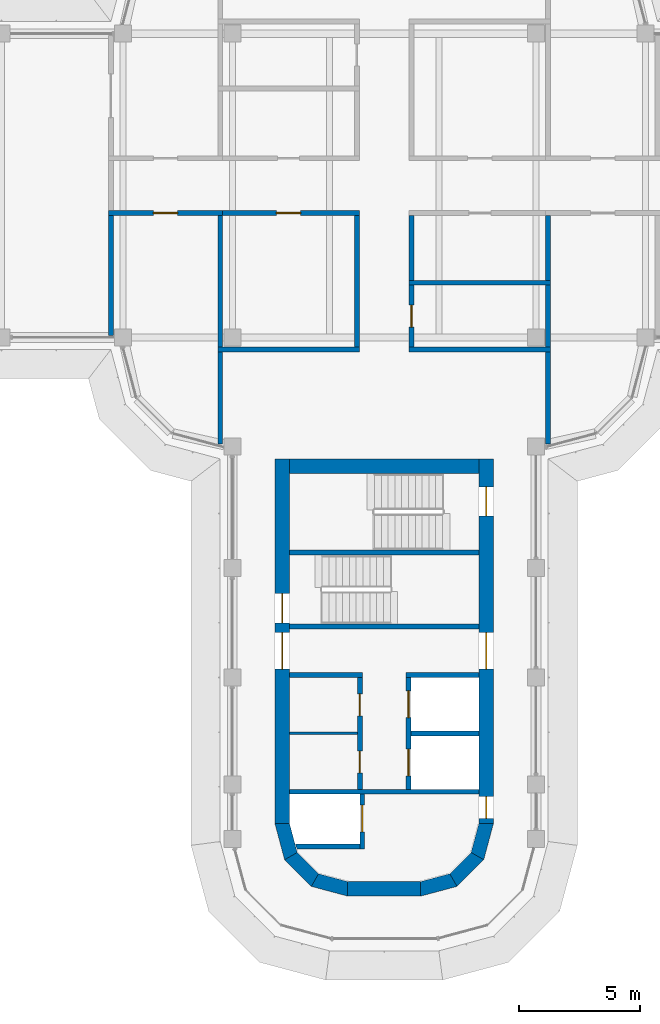
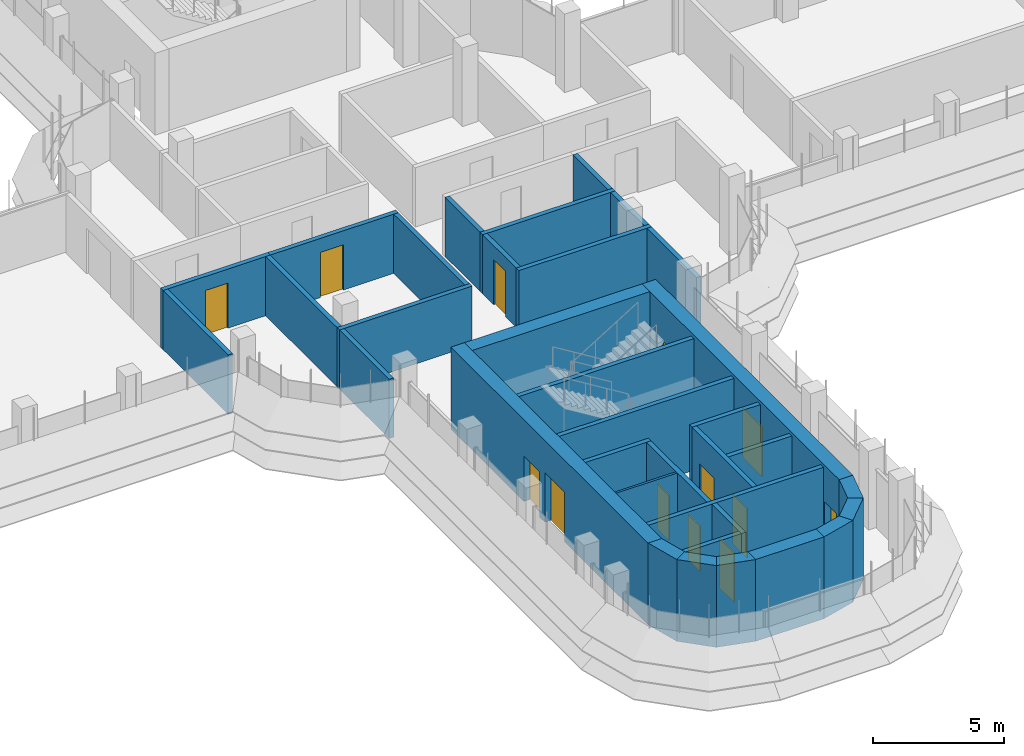
# One storey, part 13 of 19: 35 walls, 13 doors, 13 openings.
"""IFC4 building model written with IfcOpenShell, lengths in metres."""

from ifc_helpers import new_model, si_unit, direction, frame, frame_2d, origin, place, context, subcontext, project, spatial, polyline, rectangle, outline, extrude, material, layer, layer_set, type_object, element, fill, save


model = new_model("IFC4")

# Units and contexts
model_context = context("Model", 3, precision=1e-05, world=origin(), true_north=direction((0.0, 1.0)))
body_context = subcontext(model_context, "Body", "Model", "MODEL_VIEW")
ifc_project = project(units=[si_unit("LENGTHUNIT", "METRE"), si_unit("AREAUNIT", "SQUARE_METRE"), si_unit("VOLUMEUNIT", "CUBIC_METRE"), si_unit("PLANEANGLEUNIT", "RADIAN"), si_unit("MASSUNIT", "GRAM", prefix="KILO")], contexts=[model_context])

# Site, building, storey
site_placement = place(None, origin())
site = spatial("IfcSite", under=ifc_project, at=site_placement, CompositionType="ELEMENT")
building_placement = place(site_placement, origin())
building = spatial("IfcBuilding", under=site, at=building_placement, Name="Zarbagh Exchange Tower", CompositionType="ELEMENT")
storey_placement = place(building_placement, frame((0.0, 0.0, 229.60009765625)))
storey = spatial("IfcBuildingStorey", under=building, at=storey_placement, Name="L56", CompositionType="ELEMENT", Elevation=229.60009765625)

# Wall
ifc_material_1 = material(Name="Dense blockwork", Category="masonry")
ifc_layer_1 = layer(ifc_material_1, 0.10009765625)
ifc_layer_set_1 = layer_set([ifc_layer_1], Name="Core partition 100 mm blockwork")
wall_type_1 = type_object("IfcWallType", Name="Core partition 100 mm blockwork", PredefinedType="PARTITIONING", material=ifc_layer_set_1)
wall_1_placement = place(storey_placement, frame((-1.10009765625, -22.550048828125, 0.0), z_axis=(0.0, 0.0, 1.0), x_axis=(-1.0, 0.0, 0.0)))
element("IfcWall", 1, at=wall_1_placement, inside=storey, type_object=wall_type_1, Name="South core partition wall CUT-E-580", PredefinedType="PARTITIONING", context=body_context, shape_type="SweptSolid", body=[
    extrude(rectangle(XDim=2.7998046875, YDim=0.10009765625, at=frame_2d((1.39990234375, 0.0))), origin(), (0.0, 0.0, 1.0), 3.64990234375),
])

# Wall, opening, door
ifc_material_2 = material(Name="Fire-rated plasterboard partition")
ifc_layer_2 = layer(ifc_material_2, 0.199951171875)
ifc_layer_set_2 = layer_set([ifc_layer_2], Name="RATED PARTITION 200")
wall_type_2 = type_object("IfcWallType", Name="RATED PARTITION 200", PredefinedType="PARTITIONING", material=ifc_layer_set_2)
wall_2_placement = place(storey_placement, frame((-1.02490234375, -1.125, 0.0), z_axis=(0.0, 0.0, 1.0), x_axis=(-1.0, 0.0, 0.0)))
wall_2 = element("IfcWall", 2, at=wall_2_placement, inside=storey, type_object=wall_type_2, Name="Partition W-2407", PredefinedType="PARTITIONING", context=body_context, shape_type="SweptSolid", body=[
    extrude(rectangle(XDim=5.8251953125, YDim=0.199951171875, at=frame_2d((2.91259765625, 0.0))), origin(), (0.0, 0.0, 1.0), 2.75),
])
opening_1_placement = place(wall_2_placement, frame((2.41259765625, 0.0, 0.0)))
opening_1 = element("IfcOpeningElement", 3, at=opening_1_placement, cuts=wall_2, Name="Opening D-2411", PredefinedType="OPENING", context=body_context, shape_type="SweptSolid", body=[
    extrude(rectangle(XDim=1.0, YDim=2.10009765625, at=frame_2d((0.5, 1.050048828125))), frame((0.0, 0.10986328125, 0.0), z_axis=(0.0, -1.0, 0.0), x_axis=(1.0, 0.0, 0.0)), (0.0, 0.0, 1.0), 0.219970703125),
])
ifc_material_3 = material(Name="Steel door set", Category="steel")
door_type_1 = type_object("IfcDoorType", Name="FIRE DOOR 1000 X 2100 FD30S", OperationType="NOTDEFINED", PredefinedType="DOOR", material=ifc_material_3)
door_1_placement = place(opening_1_placement, origin())
door_1 = element("IfcDoor", 4, at=door_1_placement, inside=storey, type_object=door_type_1, Name="Door D-2411", OperationType="SINGLE_SWING_RIGHT", OverallHeight=2.10009765625, OverallWidth=1.0, PredefinedType="DOOR", context=body_context, shape_type="SweptSolid", body=[
    extrude(rectangle(XDim=1.0, YDim=2.10009765625, at=frame_2d((0.5, 1.050048828125))), frame((0.0, 0.02490234375, 0.0), z_axis=(0.0, -1.0, 0.0), x_axis=(1.0, 0.0, 0.0)), (0.0, 0.0, 1.0), 0.050048828125),
])
fill(opening_1, door_1)

wall_3_placement = place(storey_placement, frame((-6.64990234375, -1.125, 0.0), z_axis=(0.0, 0.0, 1.0), x_axis=(-1.0, 0.0, 0.0)))
wall_3 = element("IfcWall", 5, at=wall_3_placement, inside=storey, type_object=wall_type_2, Name="Partition W-2408", PredefinedType="PARTITIONING", context=body_context, shape_type="SweptSolid", body=[
    extrude(rectangle(XDim=4.7001953125, YDim=0.199951171875, at=frame_2d((2.35009765625, 0.0))), origin(), (0.0, 0.0, 1.0), 2.75),
])
opening_2_placement = place(wall_3_placement, frame((1.85009765625, 0.0, 0.0)))
opening_2 = element("IfcOpeningElement", 6, at=opening_2_placement, cuts=wall_3, Name="Opening D-2412", PredefinedType="OPENING", context=body_context, shape_type="SweptSolid", body=[
    extrude(rectangle(XDim=1.0, YDim=2.10009765625, at=frame_2d((0.5, 1.050048828125))), frame((0.0, 0.10986328125, 0.0), z_axis=(0.0, -1.0, 0.0), x_axis=(1.0, 0.0, 0.0)), (0.0, 0.0, 1.0), 0.219970703125),
])
door_2_placement = place(opening_2_placement, origin())
door_2 = element("IfcDoor", 7, at=door_2_placement, inside=storey, type_object=door_type_1, Name="Door D-2412", OperationType="SINGLE_SWING_RIGHT", OverallHeight=2.10009765625, OverallWidth=1.0, PredefinedType="DOOR", context=body_context, shape_type="SweptSolid", body=[
    extrude(rectangle(XDim=1.0, YDim=2.10009765625, at=frame_2d((0.5, 1.050048828125))), frame((0.0, 0.02490234375, 0.0), z_axis=(0.0, -1.0, 0.0), x_axis=(1.0, 0.0, 0.0)), (0.0, 0.0, 1.0), 0.050048828125),
])
fill(opening_2, door_2)

# Wall
wall_4_placement = place(storey_placement, frame((1.125, -3.89990234375, 0.0), z_axis=(0.0, 0.0, 1.0), x_axis=(0.0, 1.0, 0.0)))
element("IfcWall", 8, at=wall_4_placement, inside=storey, type_object=wall_type_2, Name="Partition W-2413", PredefinedType="PARTITIONING", context=body_context, shape_type="SweptSolid", body=[
    extrude(rectangle(XDim=2.6748046875, YDim=0.199951171875, at=frame_2d((1.33740234375, 0.0))), origin(), (0.0, 0.0, 1.0), 2.75),
])

# Wall, opening, door
wall_5_placement = place(storey_placement, frame((1.125, -4.10009765625, 0.0), z_axis=(0.0, 0.0, 1.0), x_axis=(0.0, -1.0, 0.0)))
wall_5 = element("IfcWall", 9, at=wall_5_placement, inside=storey, type_object=wall_type_2, Name="Partition W-2414", PredefinedType="PARTITIONING", context=body_context, shape_type="SweptSolid", body=[
    extrude(rectangle(XDim=2.5498046875, YDim=0.199951171875, at=frame_2d((1.27490234375, 0.0))), origin(), (0.0, 0.0, 1.0), 2.75),
])
opening_3_placement = place(wall_5_placement, frame((0.824951171875, 0.0, 0.0)))
opening_3 = element("IfcOpeningElement", 10, at=opening_3_placement, cuts=wall_5, Name="Opening D-2409", PredefinedType="OPENING", context=body_context, shape_type="SweptSolid", body=[
    extrude(rectangle(XDim=0.89990234375, YDim=2.10009765625, at=frame_2d((0.449951171875, 1.050048828125))), frame((0.0, 0.10986328125, 0.0), z_axis=(0.0, -1.0, 0.0), x_axis=(1.0, 0.0, 0.0)), (0.0, 0.0, 1.0), 0.219970703125),
])
ifc_material_4 = material(Name="Timber door leaf", Category="wood")
door_type_2 = type_object("IfcDoorType", Name="DOOR 900 X 2100", OperationType="NOTDEFINED", PredefinedType="DOOR", material=ifc_material_4)
door_3_placement = place(opening_3_placement, origin())
door_3 = element("IfcDoor", 11, at=door_3_placement, inside=storey, type_object=door_type_2, Name="Door D-2409", OperationType="SINGLE_SWING_RIGHT", OverallHeight=2.10009765625, OverallWidth=0.89990234375, PredefinedType="DOOR", context=body_context, shape_type="SweptSolid", body=[
    extrude(rectangle(XDim=0.89990234375, YDim=2.10009765625, at=frame_2d((0.449951171875, 1.050048828125))), frame((0.0, 0.02490234375, 0.0), z_axis=(0.0, -1.0, 0.0), x_axis=(1.0, 0.0, 0.0)), (0.0, 0.0, 1.0), 0.050048828125),
])
fill(opening_3, door_3)

# Walls
wall_6_placement = place(storey_placement, frame((-1.125, -6.64990234375, 0.0), z_axis=(0.0, 0.0, 1.0), x_axis=(0.0, 1.0, 0.0)))
element("IfcWall", 12, at=wall_6_placement, inside=storey, type_object=wall_type_2, Name="Partition W-2415", PredefinedType="PARTITIONING", context=body_context, shape_type="SweptSolid", body=[
    extrude(rectangle(XDim=5.4248046875, YDim=0.199951171875, at=frame_2d((2.71240234375, 0.0))), origin(), (0.0, 0.0, 1.0), 2.75),
])
wall_7_placement = place(storey_placement, frame((1.02490234375, -6.75, 0.0), z_axis=(0.0, 0.0, 1.0), x_axis=(1.0, 0.0, 0.0)))
element("IfcWall", 13, at=wall_7_placement, inside=storey, type_object=wall_type_2, Name="Partition W-2420", PredefinedType="PARTITIONING", context=body_context, shape_type="SweptSolid", body=[
    extrude(rectangle(XDim=5.8251953125, YDim=0.199951171875, at=frame_2d((2.91259765625, 0.0))), origin(), (0.0, 0.0, 1.0), 2.75),
])
wall_8_placement = place(storey_placement, frame((6.75, -10.6298828125, 0.0), z_axis=(0.0, 0.0, 1.0), x_axis=(0.0, 1.0, 0.0)))
element("IfcWall", 14, at=wall_8_placement, inside=storey, type_object=wall_type_2, Name="Partition W-2421", PredefinedType="PARTITIONING", context=body_context, shape_type="SweptSolid", body=[
    extrude(rectangle(XDim=3.77978515625, YDim=0.199951171875, at=frame_2d((1.889892578125, 0.0))), origin(), (0.0, 0.0, 1.0), 2.75),
])
wall_9_placement = place(storey_placement, frame((-6.85009765625, -6.75, 0.0), z_axis=(0.0, 0.0, 1.0), x_axis=(1.0, 0.0, 0.0)))
element("IfcWall", 15, at=wall_9_placement, inside=storey, type_object=wall_type_2, Name="Partition W-2422", PredefinedType="PARTITIONING", context=body_context, shape_type="SweptSolid", body=[
    extrude(rectangle(XDim=5.8251953125, YDim=0.199951171875, at=frame_2d((2.91259765625, 0.0))), origin(), (0.0, 0.0, 1.0), 2.75),
])
wall_10_placement = place(storey_placement, frame((-6.75, -10.6298828125, 0.0), z_axis=(0.0, 0.0, 1.0), x_axis=(0.0, 1.0, 0.0)))
element("IfcWall", 16, at=wall_10_placement, inside=storey, type_object=wall_type_2, Name="Partition W-2423", PredefinedType="PARTITIONING", context=body_context, shape_type="SweptSolid", body=[
    extrude(rectangle(XDim=3.77978515625, YDim=0.199951171875, at=frame_2d((1.889892578125, 0.0))), origin(), (0.0, 0.0, 1.0), 2.75),
])
wall_11_placement = place(storey_placement, frame((1.02490234375, -4.0, 0.0), z_axis=(0.0, 0.0, 1.0), x_axis=(1.0, 0.0, 0.0)))
element("IfcWall", 17, at=wall_11_placement, inside=storey, type_object=wall_type_2, Name="Partition W-2430", PredefinedType="PARTITIONING", context=body_context, shape_type="SweptSolid", body=[
    extrude(rectangle(XDim=5.8251953125, YDim=0.199951171875, at=frame_2d((2.91259765625, 0.0))), origin(), (0.0, 0.0, 1.0), 2.75),
])
wall_12_placement = place(storey_placement, frame((6.75, -3.89990234375, 0.0), z_axis=(0.0, 0.0, 1.0), x_axis=(0.0, 1.0, 0.0)))
element("IfcWall", 18, at=wall_12_placement, inside=storey, type_object=wall_type_2, Name="Partition W-2431", PredefinedType="PARTITIONING", context=body_context, shape_type="SweptSolid", body=[
    extrude(rectangle(XDim=2.6748046875, YDim=0.199951171875, at=frame_2d((1.33740234375, 0.0))), origin(), (0.0, 0.0, 1.0), 2.75),
])
wall_13_placement = place(storey_placement, frame((6.75, -6.64990234375, 0.0), z_axis=(0.0, 0.0, 1.0), x_axis=(0.0, 1.0, 0.0)))
element("IfcWall", 19, at=wall_13_placement, inside=storey, type_object=wall_type_2, Name="Partition W-2432", PredefinedType="PARTITIONING", context=body_context, shape_type="SweptSolid", body=[
    extrude(rectangle(XDim=2.5498046875, YDim=0.199951171875, at=frame_2d((1.27490234375, 0.0))), origin(), (0.0, 0.0, 1.0), 2.75),
])
wall_14_placement = place(storey_placement, frame((-6.75, -6.64990234375, 0.0), z_axis=(0.0, 0.0, 1.0), x_axis=(0.0, 1.0, 0.0)))
element("IfcWall", 20, at=wall_14_placement, inside=storey, type_object=wall_type_2, Name="Partition W-2434", PredefinedType="PARTITIONING", context=body_context, shape_type="SweptSolid", body=[
    extrude(rectangle(XDim=5.4248046875, YDim=0.199951171875, at=frame_2d((2.71240234375, 0.0))), origin(), (0.0, 0.0, 1.0), 2.75),
])
wall_15_placement = place(storey_placement, frame((-11.25, -6.169921875, 0.0), z_axis=(0.0, 0.0, 1.0), x_axis=(0.0, 1.0, 0.0)))
element("IfcWall", 21, at=wall_15_placement, inside=storey, type_object=wall_type_2, Name="Partition W-2435", PredefinedType="PARTITIONING", context=body_context, shape_type="SweptSolid", body=[
    extrude(rectangle(XDim=4.94482421875, YDim=0.199951171875, at=frame_2d((2.472412109375, 0.0))), origin(), (0.0, 0.0, 1.0), 2.75),
])
ifc_material_5 = material(Name="Concrete C50/60", Category="concrete")
ifc_layer_3 = layer(ifc_material_5, 0.60009765625)
ifc_layer_set_3 = layer_set([ifc_layer_3], Name="RC core corner wall 600 C50/60")
wall_type_3 = type_object("IfcWallType", Name="RC core corner wall 600 C50/60", PredefinedType="SHEAR", material=ifc_layer_set_3)
wall_16_placement = place(storey_placement, origin())
element("IfcWall", 22, at=wall_16_placement, inside=storey, type_object=wall_type_3, Name="CW8 core S corner W", PredefinedType="SHEAR", context=body_context, shape_type="SweptSolid", body=[
    extrude(outline(polyline([(-4.5, -26.25), (-4.09814453125, -27.75), (-3.57861328125, -27.449951171875), (-3.89990234375, -26.25), (-4.5, -26.25)])), origin(), (0.0, 0.0, 1.0), 3.7998046875),
])
wall_17_placement = place(storey_placement, origin())
element("IfcWall", 23, at=wall_17_placement, inside=storey, type_object=wall_type_3, Name="CW8 core S corner W", PredefinedType="SHEAR", context=body_context, shape_type="SweptSolid", body=[
    extrude(outline(polyline([(-4.09814453125, -27.75), (-3.0, -28.84814453125), (-2.699951171875, -28.32861328125), (-3.57861328125, -27.449951171875), (-4.09814453125, -27.75)])), origin(), (0.0, 0.0, 1.0), 3.7998046875),
])
wall_18_placement = place(storey_placement, origin())
element("IfcWall", 24, at=wall_18_placement, inside=storey, type_object=wall_type_3, Name="CW8 core S corner W", PredefinedType="SHEAR", context=body_context, shape_type="SweptSolid", body=[
    extrude(outline(polyline([(-3.0, -28.84814453125), (-1.5, -29.25), (-1.5, -28.64990234375), (-2.699951171875, -28.32861328125), (-3.0, -28.84814453125)])), origin(), (0.0, 0.0, 1.0), 3.7998046875),
])
wall_19_placement = place(storey_placement, origin())
element("IfcWall", 25, at=wall_19_placement, inside=storey, type_object=wall_type_3, Name="CW8 core S corner E", PredefinedType="SHEAR", context=body_context, shape_type="SweptSolid", body=[
    extrude(outline(polyline([(4.5, -26.25), (4.09814453125, -27.75), (3.57861328125, -27.449951171875), (3.89990234375, -26.25), (4.5, -26.25)])), origin(), (0.0, 0.0, 1.0), 3.7998046875),
])
wall_20_placement = place(storey_placement, origin())
element("IfcWall", 26, at=wall_20_placement, inside=storey, type_object=wall_type_3, Name="CW8 core S corner E", PredefinedType="SHEAR", context=body_context, shape_type="SweptSolid", body=[
    extrude(outline(polyline([(4.09814453125, -27.75), (3.0, -28.84814453125), (2.699951171875, -28.32861328125), (3.57861328125, -27.449951171875), (4.09814453125, -27.75)])), origin(), (0.0, 0.0, 1.0), 3.7998046875),
])
wall_21_placement = place(storey_placement, origin())
element("IfcWall", 27, at=wall_21_placement, inside=storey, type_object=wall_type_3, Name="CW8 core S corner E", PredefinedType="SHEAR", context=body_context, shape_type="SweptSolid", body=[
    extrude(outline(polyline([(3.0, -28.84814453125), (1.5, -29.25), (1.5, -28.64990234375), (2.699951171875, -28.32861328125), (3.0, -28.84814453125)])), origin(), (0.0, 0.0, 1.0), 3.7998046875),
])

# Wall, openings, doors
ifc_layer_4 = layer(ifc_material_5, 0.60009765625)
ifc_layer_set_4 = layer_set([ifc_layer_4], Name="RC core wall 600 C50/60")
wall_type_4 = type_object("IfcWallType", Name="RC core wall 600 C50/60", PredefinedType="SHEAR", material=ifc_layer_set_4)
wall_22_placement = place(storey_placement, frame((-4.199951171875, -11.25, 0.0), z_axis=(0.0, 0.0, 1.0), x_axis=(0.0, -1.0, 0.0)))
wall_22 = element("IfcWall", 28, at=wall_22_placement, inside=storey, type_object=wall_type_4, Name="CW7 core S W", PredefinedType="SHEAR", context=body_context, shape_type="SweptSolid", body=[
    extrude(rectangle(XDim=15.0, YDim=0.60009765625, at=frame_2d((7.5, 0.0))), origin(), (0.0, 0.0, 1.0), 3.7998046875),
])
opening_4_placement = place(wall_22_placement, frame((7.14990234375, 0.0, 0.0)))
opening_4 = element("IfcOpeningElement", 29, at=opening_4_placement, cuts=wall_22, Name="Opening CD1-1500", PredefinedType="OPENING", context=body_context, shape_type="SweptSolid", body=[
    extrude(rectangle(XDim=1.5, YDim=2.300048828125, at=frame_2d((0.75, 1.14990234375))), frame((0.0, 0.31005859375, 0.0), z_axis=(0.0, -1.0, 0.0), x_axis=(1.0, 0.0, 0.0)), (0.0, 0.0, 1.0), 0.6201171875),
])
opening_5_placement = place(wall_22_placement, frame((5.550048828125, 0.0, 0.0)))
opening_5 = element("IfcOpeningElement", 30, at=opening_5_placement, cuts=wall_22, Name="Opening SD1-1200", PredefinedType="OPENING", context=body_context, shape_type="SweptSolid", body=[
    extrude(rectangle(XDim=1.199951171875, YDim=2.10009765625, at=frame_2d((0.60009765625, 1.050048828125))), frame((0.0, 0.31005859375, 0.0), z_axis=(0.0, -1.0, 0.0), x_axis=(1.0, 0.0, 0.0)), (0.0, 0.0, 1.0), 0.6201171875),
])
ifc_material_6 = material(Name="Steel", Category="steel")
door_type_3 = type_object("IfcDoorType", Name="Exit stair door 1200 x 2100", OperationType="NOTDEFINED", PredefinedType="DOOR", material=ifc_material_6)
door_4_placement = place(opening_5_placement, origin())
door_4 = element("IfcDoor", 31, at=door_4_placement, inside=storey, type_object=door_type_3, Name="South core stair door ST1", OperationType="SINGLE_SWING_RIGHT", OverallHeight=2.10009765625, OverallWidth=1.199951171875, PredefinedType="DOOR", context=body_context, shape_type="SweptSolid", body=[
    extrude(rectangle(XDim=1.199951171875, YDim=2.10009765625, at=frame_2d((0.60009765625, 1.050048828125))), frame((0.0, 0.02490234375, 0.0), z_axis=(0.0, -1.0, 0.0), x_axis=(1.0, 0.0, 0.0)), (0.0, 0.0, 1.0), 0.050048828125),
])
fill(opening_5, door_4)
door_type_4 = type_object("IfcDoorType", Name="Lift lobby double door 1500 x 2300", OperationType="NOTDEFINED", PredefinedType="DOOR", material=ifc_material_6)
door_5_placement = place(opening_4_placement, origin())
door_5 = element("IfcDoor", 32, at=door_5_placement, inside=storey, type_object=door_type_4, Name="South core lift lobby door LOBBY-E", OperationType="DOUBLE_DOOR_SINGLE_SWING", OverallHeight=2.300048828125, OverallWidth=1.5, PredefinedType="DOOR", context=body_context, shape_type="SweptSolid", body=[
    extrude(rectangle(XDim=1.5, YDim=2.300048828125, at=frame_2d((0.75, 1.14990234375))), frame((0.0, 0.02490234375, 0.0), z_axis=(0.0, -1.0, 0.0), x_axis=(1.0, 0.0, 0.0)), (0.0, 0.0, 1.0), 0.050048828125),
])
fill(opening_4, door_5)

wall_23_placement = place(storey_placement, frame((4.199951171875, -11.25, 0.0), z_axis=(0.0, 0.0, 1.0), x_axis=(0.0, -1.0, 0.0)))
wall_23 = element("IfcWall", 33, at=wall_23_placement, inside=storey, type_object=wall_type_4, Name="CW7 core S E", PredefinedType="SHEAR", context=body_context, shape_type="SweptSolid", body=[
    extrude(rectangle(XDim=15.0, YDim=0.60009765625, at=frame_2d((7.5, 0.0))), origin(), (0.0, 0.0, 1.0), 3.7998046875),
])
opening_6_placement = place(wall_23_placement, frame((7.14990234375, 0.0, 0.0)))
opening_6 = element("IfcOpeningElement", 34, at=opening_6_placement, cuts=wall_23, Name="Opening CD1-1500", PredefinedType="OPENING", context=body_context, shape_type="SweptSolid", body=[
    extrude(rectangle(XDim=1.5, YDim=2.300048828125, at=frame_2d((0.75, 1.14990234375))), frame((0.0, 0.31005859375, 0.0), z_axis=(0.0, -1.0, 0.0), x_axis=(1.0, 0.0, 0.0)), (0.0, 0.0, 1.0), 0.6201171875),
])
opening_7_placement = place(wall_23_placement, frame((13.89990234375, 0.0, 0.0)))
opening_7 = element("IfcOpeningElement", 35, at=opening_7_placement, cuts=wall_23, Name="Opening CD2-900", PredefinedType="OPENING", context=body_context, shape_type="SweptSolid", body=[
    extrude(rectangle(XDim=0.89990234375, YDim=2.10009765625, at=frame_2d((0.449951171875, 1.050048828125))), frame((0.0, 0.31005859375, 0.0), z_axis=(0.0, -1.0, 0.0), x_axis=(1.0, 0.0, 0.0)), (0.0, 0.0, 1.0), 0.6201171875),
])
opening_8_placement = place(wall_23_placement, frame((1.14990234375, 0.0, 0.0)))
opening_8 = element("IfcOpeningElement", 36, at=opening_8_placement, cuts=wall_23, Name="Opening SD1-1200", PredefinedType="OPENING", context=body_context, shape_type="SweptSolid", body=[
    extrude(rectangle(XDim=1.199951171875, YDim=2.10009765625, at=frame_2d((0.60009765625, 1.050048828125))), frame((0.0, 0.31005859375, 0.0), z_axis=(0.0, -1.0, 0.0), x_axis=(1.0, 0.0, 0.0)), (0.0, 0.0, 1.0), 0.6201171875),
])
door_6_placement = place(opening_8_placement, origin())
door_6 = element("IfcDoor", 37, at=door_6_placement, inside=storey, type_object=door_type_3, Name="South core stair door ST2", OperationType="SINGLE_SWING_LEFT", OverallHeight=2.10009765625, OverallWidth=1.199951171875, PredefinedType="DOOR", context=body_context, shape_type="SweptSolid", body=[
    extrude(rectangle(XDim=1.199951171875, YDim=2.10009765625, at=frame_2d((0.60009765625, 1.050048828125))), frame((0.0, 0.02490234375, 0.0), z_axis=(0.0, -1.0, 0.0), x_axis=(1.0, 0.0, 0.0)), (0.0, 0.0, 1.0), 0.050048828125),
])
fill(opening_8, door_6)
door_type_5 = type_object("IfcDoorType", Name="Firefighting lobby door 900 x 2100", OperationType="NOTDEFINED", PredefinedType="DOOR", material=ifc_material_6)
door_7_placement = place(opening_7_placement, origin())
door_7 = element("IfcDoor", 38, at=door_7_placement, inside=storey, type_object=door_type_5, Name="South core firefighting lobby door FF-W", OperationType="SINGLE_SWING_RIGHT", OverallHeight=2.10009765625, OverallWidth=0.89990234375, PredefinedType="DOOR", context=body_context, shape_type="SweptSolid", body=[
    extrude(rectangle(XDim=0.89990234375, YDim=2.10009765625, at=frame_2d((0.449951171875, 1.050048828125))), frame((0.0, 0.02490234375, 0.0), z_axis=(0.0, -1.0, 0.0), x_axis=(1.0, 0.0, 0.0)), (0.0, 0.0, 1.0), 0.050048828125),
])
fill(opening_7, door_7)
door_8_placement = place(opening_6_placement, origin())
door_8 = element("IfcDoor", 39, at=door_8_placement, inside=storey, type_object=door_type_4, Name="South core lift lobby door LOBBY-W", OperationType="DOUBLE_DOOR_SINGLE_SWING", OverallHeight=2.300048828125, OverallWidth=1.5, PredefinedType="DOOR", context=body_context, shape_type="SweptSolid", body=[
    extrude(rectangle(XDim=1.5, YDim=2.300048828125, at=frame_2d((0.75, 1.14990234375))), frame((0.0, 0.02490234375, 0.0), z_axis=(0.0, -1.0, 0.0), x_axis=(1.0, 0.0, 0.0)), (0.0, 0.0, 1.0), 0.050048828125),
])
fill(opening_6, door_8)

# Walls
wall_24_placement = place(storey_placement, frame((-3.89990234375, -11.550048828125, 0.0), z_axis=(0.0, 0.0, 1.0), x_axis=(1.0, 0.0, 0.0)))
element("IfcWall", 40, at=wall_24_placement, inside=storey, type_object=wall_type_4, Name="CW7 core S inner end", PredefinedType="SHEAR", context=body_context, shape_type="SweptSolid", body=[
    extrude(rectangle(XDim=7.7998046875, YDim=0.60009765625, at=frame_2d((3.89990234375, 0.0))), origin(), (0.0, 0.0, 1.0), 3.7998046875),
])
wall_25_placement = place(storey_placement, frame((-1.5, -28.949951171875, 0.0), z_axis=(0.0, 0.0, 1.0), x_axis=(1.0, 0.0, 0.0)))
element("IfcWall", 41, at=wall_25_placement, inside=storey, type_object=wall_type_4, Name="CW7 core S outer end", PredefinedType="SHEAR", context=body_context, shape_type="SweptSolid", body=[
    extrude(rectangle(XDim=3.0, YDim=0.60009765625, at=frame_2d((1.5, 0.0))), origin(), (0.0, 0.0, 1.0), 3.7998046875),
])
ifc_layer_5 = layer(ifc_material_1, 0.199951171875)
ifc_layer_set_5 = layer_set([ifc_layer_5], Name="Shaft wall 200 mm blockwork")
wall_type_5 = type_object("IfcWallType", Name="Shaft wall 200 mm blockwork", PredefinedType="PARTITIONING", material=ifc_layer_set_5)
wall_26_placement = place(storey_placement, frame((3.89990234375, -20.14990234375, 0.0), z_axis=(0.0, 0.0, 1.0), x_axis=(-1.0, 0.0, 0.0)))
element("IfcWall", 42, at=wall_26_placement, inside=storey, type_object=wall_type_5, Name="South core shaft wall AB-W", PredefinedType="PARTITIONING", context=body_context, shape_type="SweptSolid", body=[
    extrude(rectangle(XDim=3.0, YDim=0.199951171875, at=frame_2d((1.5, 0.0))), origin(), (0.0, 0.0, 1.0), 3.64990234375),
])

# Wall, openings, doors
wall_27_placement = place(storey_placement, frame((1.0, -24.85009765625, 0.0), z_axis=(0.0, 0.0, 1.0), x_axis=(0.0, 1.0, 0.0)))
wall_27 = element("IfcWall", 43, at=wall_27_placement, inside=storey, type_object=wall_type_5, Name="South core shaft wall LW-W", PredefinedType="PARTITIONING", context=body_context, shape_type="SweptSolid", body=[
    extrude(rectangle(XDim=4.60009765625, YDim=0.199951171875, at=frame_2d((2.300048828125, 0.0))), origin(), (0.0, 0.0, 1.0), 3.64990234375),
])
opening_9_placement = place(wall_27_placement, frame((0.550048828125, 0.0, 0.0)))
opening_9 = element("IfcOpeningElement", 44, at=opening_9_placement, cuts=wall_27, Name="Opening LD-1100", PredefinedType="OPENING", context=body_context, shape_type="SweptSolid", body=[
    extrude(rectangle(XDim=1.10009765625, YDim=2.300048828125, at=frame_2d((0.550048828125, 1.14990234375))), frame((0.0, 0.10986328125, 0.0), z_axis=(0.0, -1.0, 0.0), x_axis=(1.0, 0.0, 0.0)), (0.0, 0.0, 1.0), 0.219970703125),
])
opening_10_placement = place(wall_27_placement, frame((2.949951171875, 0.0, 0.0)))
opening_10 = element("IfcOpeningElement", 45, at=opening_10_placement, cuts=wall_27, Name="Opening LD-1100", PredefinedType="OPENING", context=body_context, shape_type="SweptSolid", body=[
    extrude(rectangle(XDim=1.10009765625, YDim=2.300048828125, at=frame_2d((0.550048828125, 1.14990234375))), frame((0.0, 0.10986328125, 0.0), z_axis=(0.0, -1.0, 0.0), x_axis=(1.0, 0.0, 0.0)), (0.0, 0.0, 1.0), 0.219970703125),
])
ifc_material_7 = material(Name="Stainless steel", Category="steel")
door_type_6 = type_object("IfcDoorType", Name="Lift landing door 1100 x 2300", OperationType="NOTDEFINED", PredefinedType="DOOR", material=ifc_material_7)
door_9_placement = place(opening_9_placement, origin())
door_9 = element("IfcDoor", 46, at=door_9_placement, inside=storey, type_object=door_type_6, Name="South core lift landing door LD-P-S1", OperationType="DOUBLE_DOOR_SLIDING", OverallHeight=2.300048828125, OverallWidth=1.10009765625, PredefinedType="DOOR", context=body_context, shape_type="SweptSolid", body=[
    extrude(rectangle(XDim=1.10009765625, YDim=2.300048828125, at=frame_2d((0.550048828125, 1.14990234375))), frame((0.0, 0.02490234375, 0.0), z_axis=(0.0, -1.0, 0.0), x_axis=(1.0, 0.0, 0.0)), (0.0, 0.0, 1.0), 0.050048828125),
])
fill(opening_9, door_9)
door_10_placement = place(opening_10_placement, origin())
door_10 = element("IfcDoor", 47, at=door_10_placement, inside=storey, type_object=door_type_6, Name="South core lift landing door LD-P-S2", OperationType="DOUBLE_DOOR_SLIDING", OverallHeight=2.300048828125, OverallWidth=1.10009765625, PredefinedType="DOOR", context=body_context, shape_type="SweptSolid", body=[
    extrude(rectangle(XDim=1.10009765625, YDim=2.300048828125, at=frame_2d((0.550048828125, 1.14990234375))), frame((0.0, 0.02490234375, 0.0), z_axis=(0.0, -1.0, 0.0), x_axis=(1.0, 0.0, 0.0)), (0.0, 0.0, 1.0), 0.050048828125),
])
fill(opening_10, door_10)

# Wall
wall_28_placement = place(storey_placement, frame((-0.89990234375, -20.14990234375, 0.0), z_axis=(0.0, 0.0, 1.0), x_axis=(-1.0, 0.0, 0.0)))
element("IfcWall", 48, at=wall_28_placement, inside=storey, type_object=wall_type_5, Name="South core shaft wall AB-E", PredefinedType="PARTITIONING", context=body_context, shape_type="SweptSolid", body=[
    extrude(rectangle(XDim=3.0, YDim=0.199951171875, at=frame_2d((1.5, 0.0))), origin(), (0.0, 0.0, 1.0), 3.64990234375),
])

# Wall, openings, doors
wall_29_placement = place(storey_placement, frame((-1.0, -24.85009765625, 0.0), z_axis=(0.0, 0.0, 1.0), x_axis=(0.0, 1.0, 0.0)))
wall_29 = element("IfcWall", 49, at=wall_29_placement, inside=storey, type_object=wall_type_5, Name="South core shaft wall LW-E", PredefinedType="PARTITIONING", context=body_context, shape_type="SweptSolid", body=[
    extrude(rectangle(XDim=4.60009765625, YDim=0.199951171875, at=frame_2d((2.300048828125, 0.0))), origin(), (0.0, 0.0, 1.0), 3.64990234375),
])
opening_11_placement = place(wall_29_placement, frame((0.675048828125, 0.0, 0.0)))
opening_11 = element("IfcOpeningElement", 50, at=opening_11_placement, cuts=wall_29, Name="Opening CD3-900", PredefinedType="OPENING", context=body_context, shape_type="SweptSolid", body=[
    extrude(rectangle(XDim=0.89990234375, YDim=2.10009765625, at=frame_2d((0.449951171875, 1.050048828125))), frame((0.0, 0.10986328125, 0.0), z_axis=(0.0, -1.0, 0.0), x_axis=(1.0, 0.0, 0.0)), (0.0, 0.0, 1.0), 0.219970703125),
])
opening_12_placement = place(wall_29_placement, frame((3.02490234375, 0.0, 0.0)))
opening_12 = element("IfcOpeningElement", 51, at=opening_12_placement, cuts=wall_29, Name="Opening CD3-900", PredefinedType="OPENING", context=body_context, shape_type="SweptSolid", body=[
    extrude(rectangle(XDim=0.89990234375, YDim=2.10009765625, at=frame_2d((0.449951171875, 1.050048828125))), frame((0.0, 0.10986328125, 0.0), z_axis=(0.0, -1.0, 0.0), x_axis=(1.0, 0.0, 0.0)), (0.0, 0.0, 1.0), 0.219970703125),
])
door_type_7 = type_object("IfcDoorType", Name="Core room door 900 x 2100", OperationType="NOTDEFINED", PredefinedType="DOOR", material=ifc_material_6)
door_11_placement = place(opening_11_placement, origin())
door_11 = element("IfcDoor", 52, at=door_11_placement, inside=storey, type_object=door_type_7, Name="South core Staff WC door RD-E-0", OperationType="SINGLE_SWING_RIGHT", OverallHeight=2.10009765625, OverallWidth=0.89990234375, PredefinedType="DOOR", context=body_context, shape_type="SweptSolid", body=[
    extrude(rectangle(XDim=0.89990234375, YDim=2.10009765625, at=frame_2d((0.449951171875, 1.050048828125))), frame((0.0, 0.02490234375, 0.0), z_axis=(0.0, -1.0, 0.0), x_axis=(1.0, 0.0, 0.0)), (0.0, 0.0, 1.0), 0.050048828125),
])
fill(opening_11, door_11)
door_12_placement = place(opening_12_placement, origin())
door_12 = element("IfcDoor", 53, at=door_12_placement, inside=storey, type_object=door_type_7, Name="South core Accessible WC door RD-E-1", OperationType="SINGLE_SWING_RIGHT", OverallHeight=2.10009765625, OverallWidth=0.89990234375, PredefinedType="DOOR", context=body_context, shape_type="SweptSolid", body=[
    extrude(rectangle(XDim=0.89990234375, YDim=2.10009765625, at=frame_2d((0.449951171875, 1.050048828125))), frame((0.0, 0.02490234375, 0.0), z_axis=(0.0, -1.0, 0.0), x_axis=(1.0, 0.0, 0.0)), (0.0, 0.0, 1.0), 0.050048828125),
])
fill(opening_12, door_12)

# Walls
wall_30_placement = place(storey_placement, frame((3.89990234375, -22.550048828125, 0.0), z_axis=(0.0, 0.0, 1.0), x_axis=(-1.0, 0.0, 0.0)))
element("IfcWall", 54, at=wall_30_placement, inside=storey, type_object=wall_type_5, Name="South core shaft wall TR-W", PredefinedType="PARTITIONING", context=body_context, shape_type="SweptSolid", body=[
    extrude(rectangle(XDim=2.7998046875, YDim=0.199951171875, at=frame_2d((1.39990234375, 0.0))), origin(), (0.0, 0.0, 1.0), 3.64990234375),
])
ifc_material_8 = material(Name="Concrete C40/50", Category="concrete")
ifc_layer_6 = layer(ifc_material_8, 0.199951171875)
ifc_layer_set_6 = layer_set([ifc_layer_6], Name="Stair enclosure wall 200 mm RC C40/50")
wall_type_6 = type_object("IfcWallType", Name="Stair enclosure wall 200 mm RC C40/50", PredefinedType="SHEAR", material=ifc_layer_set_6)
wall_31_placement = place(storey_placement, frame((3.89990234375, -24.949951171875, 0.0), z_axis=(0.0, 0.0, 1.0), x_axis=(-1.0, 0.0, 0.0)))
element("IfcWall", 55, at=wall_31_placement, inside=storey, type_object=wall_type_6, Name="South core lift shaft wall FFA", PredefinedType="SHEAR", context=body_context, shape_type="SweptSolid", body=[
    extrude(rectangle(XDim=7.7998046875, YDim=0.199951171875, at=frame_2d((3.89990234375, 0.0))), origin(), (0.0, 0.0, 1.0), 3.64990234375),
])

# Wall, opening, door
wall_32_placement = place(storey_placement, frame((-0.89990234375, -27.300048828125, 0.0), z_axis=(0.0, 0.0, 1.0), x_axis=(0.0, 1.0, 0.0)))
wall_32 = element("IfcWall", 56, at=wall_32_placement, inside=storey, type_object=wall_type_6, Name="South core lift shaft wall FFL", PredefinedType="SHEAR", context=body_context, shape_type="SweptSolid", body=[
    extrude(rectangle(XDim=2.25, YDim=0.199951171875, at=frame_2d((1.125, 0.0))), origin(), (0.0, 0.0, 1.0), 3.64990234375),
])
opening_13_placement = place(wall_32_placement, frame((0.699951171875, 0.0, 0.0)))
opening_13 = element("IfcOpeningElement", 57, at=opening_13_placement, cuts=wall_32, Name="Opening LD-1100", PredefinedType="OPENING", context=body_context, shape_type="SweptSolid", body=[
    extrude(rectangle(XDim=1.10009765625, YDim=2.300048828125, at=frame_2d((0.550048828125, 1.14990234375))), frame((0.0, 0.10986328125, 0.0), z_axis=(0.0, -1.0, 0.0), x_axis=(1.0, 0.0, 0.0)), (0.0, 0.0, 1.0), 0.219970703125),
])
door_13_placement = place(opening_13_placement, origin())
door_13 = element("IfcDoor", 58, at=door_13_placement, inside=storey, type_object=door_type_6, Name="South core lift landing door LD-F", OperationType="DOUBLE_DOOR_SLIDING", OverallHeight=2.300048828125, OverallWidth=1.10009765625, PredefinedType="DOOR", context=body_context, shape_type="SweptSolid", body=[
    extrude(rectangle(XDim=1.10009765625, YDim=2.300048828125, at=frame_2d((0.550048828125, 1.14990234375))), frame((0.0, 0.02490234375, 0.0), z_axis=(0.0, -1.0, 0.0), x_axis=(1.0, 0.0, 0.0)), (0.0, 0.0, 1.0), 0.050048828125),
])
fill(opening_13, door_13)

# Walls
wall_33_placement = place(storey_placement, origin())
element("IfcWall", 59, at=wall_33_placement, inside=storey, type_object=wall_type_6, Name="South core lift shaft wall FFX", PredefinedType="SHEAR", context=body_context, shape_type="SweptSolid", body=[
    extrude(outline(polyline([(-1.0, -27.10009765625), (-3.651123046875, -27.10009765625), (-3.597412109375, -27.300048828125), (-1.0, -27.300048828125), (-1.0, -27.10009765625)])), origin(), (0.0, 0.0, 1.0), 3.64990234375),
])
for number, where, z_axis, x_axis, name in (
    (60, (3.89990234375, -18.14990234375, 0.0), (0.0, 0.0, 1.0), (-1.0, 0.0, 0.0), "South core stair wall BS"),
    (61, (3.89990234375, -15.10009765625, 0.0), (0.0, 0.0, 1.0), (-1.0, 0.0, 0.0), "South core stair wall ST12"),
):
    element("IfcWall", number, at=place(storey_placement, frame(where, z_axis=z_axis, x_axis=x_axis)), inside=storey, type_object=wall_type_6, Name=name, PredefinedType="SHEAR", context=body_context, shape_type="SweptSolid", body=[
        extrude(rectangle(XDim=7.7998046875, YDim=0.199951171875, at=frame_2d((3.89990234375, 0.0))), origin(), (0.0, 0.0, 1.0), 3.64990234375),
    ])

save(model, "model.ifc")
